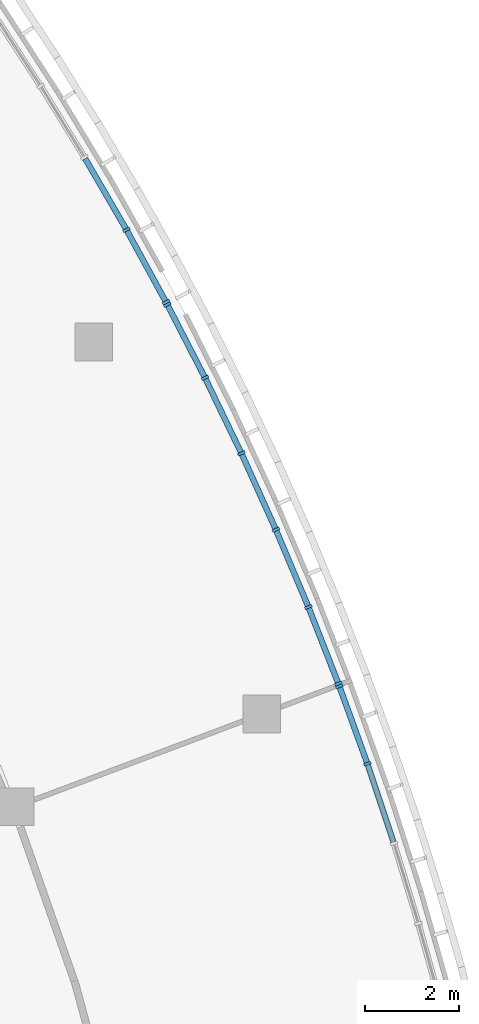
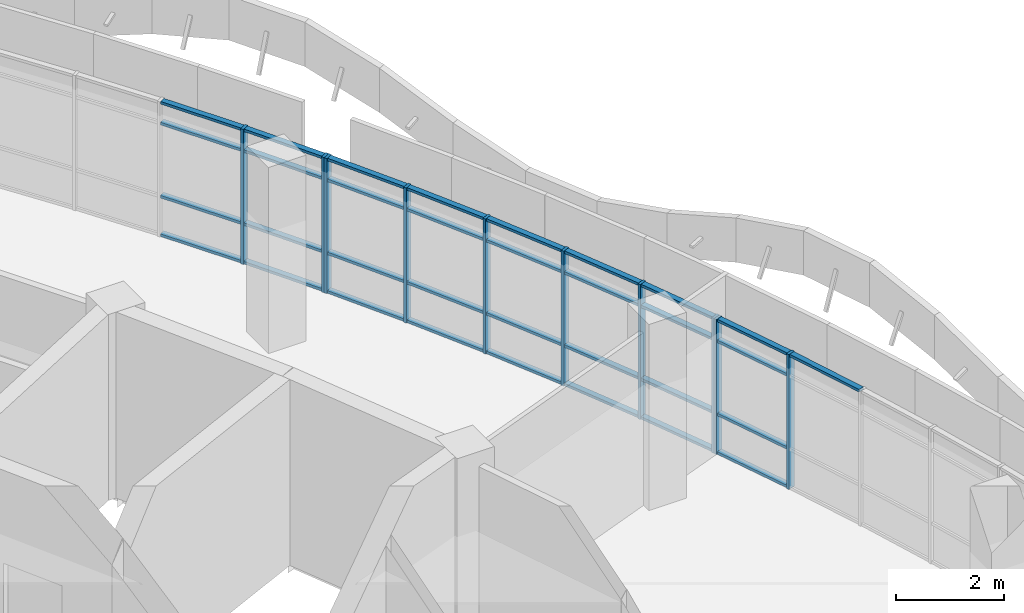
# One storey, part 35 of 137: 43 members, 3 elements without a shape of their own.
"""IFC4 building model written with IfcOpenShell, lengths in metres."""

from ifc_helpers import new_model, si_unit, direction, frame, origin, origin_2d, place, context, subcontext, project, spatial, rectangle, extrude, material, material_profile, profile_set, type_object, element, aggregate, save


model = new_model("IFC4")

# Units and contexts
model_context = context("Model", 3, precision=1e-05, world=origin(), true_north=direction((0.0, 1.0)))
body_context = subcontext(model_context, "Body", "Model", "MODEL_VIEW")
ifc_project = project(units=[si_unit("LENGTHUNIT", "METRE"), si_unit("AREAUNIT", "SQUARE_METRE"), si_unit("VOLUMEUNIT", "CUBIC_METRE"), si_unit("PLANEANGLEUNIT", "RADIAN"), si_unit("MASSUNIT", "GRAM", prefix="KILO")], contexts=[model_context])

# Site, building, storey
site_placement = place(None, origin())
site = spatial("IfcSite", under=ifc_project, at=site_placement, CompositionType="ELEMENT")
building_placement = place(site_placement, origin())
building = spatial("IfcBuilding", under=site, at=building_placement, Name="Bougainvillea Quay General Hospital", CompositionType="ELEMENT")
storey_placement = place(building_placement, frame((0.0, 0.0, 16.800048828125)))
storey = spatial("IfcBuildingStorey", under=building, at=storey_placement, Name="L03", CompositionType="ELEMENT", Elevation=16.800048828125)

# Curtain wall, members
ifc_material_1 = material(Name="Aluminium curtain wall system, powder-coated glazed", Category="aluminium")
curtain_wall_type = type_object("IfcCurtainWallType", Name="Unitised curtain wall CW-2100", PredefinedType="NOTDEFINED", material=ifc_material_1)
curtain_wall_1_placement = place(storey_placement, origin())
curtain_wall_1 = element("IfcCurtainWall", 1, at=curtain_wall_1_placement, inside=storey, type_object=curtain_wall_type, Name="CW-E05 a14b4", PredefinedType="NOTDEFINED")
ifc_material_2 = material(Name="Aluminium mullion, powder-coated charcoal", Category="aluminium")
ifc_material_profile_1 = material_profile(ifc_material_2, rectangle(XDim=0.159912109375, YDim=0.06005859375, at=origin_2d()))
ifc_profile_set_1 = profile_set([ifc_material_profile_1], Name="Aluminium mullion, powder-coated charcoal")
member_type_1 = type_object("IfcMemberType", Name="Curtain wall mullion 160x60", PredefinedType="MULLION", material=ifc_profile_set_1)
member_1_placement = place(storey_placement, frame((169.966064453125, 56.243408203125, 0.0), z_axis=(0.0, 0.0, 1.0), x_axis=(0.871193247428, 0.490940246503, 0.0)))
member_1 = element("IfcMember", 2, at=member_1_placement, type_object=member_type_1, Name="CW-E05 mullion 5", PredefinedType="MULLION", context=body_context, shape_type="SweptSolid", body=[
    extrude(rectangle(XDim=0.159912109375, YDim=0.06005859375, at=origin_2d()), origin(), (0.0, 0.0, 1.0), 3.050048828125),
])
member_2_placement = place(storey_placement, frame((170.805908203125, 54.707763671875, 0.0), z_axis=(0.0, 0.0, 1.0), x_axis=(0.877387439543, 0.479782535044, 0.0)))
member_2 = element("IfcMember", 3, at=member_2_placement, type_object=member_type_1, Name="CW-E05 mullion 6", PredefinedType="MULLION", context=body_context, shape_type="SweptSolid", body=[
    extrude(rectangle(XDim=0.159912109375, YDim=0.06005859375, at=origin_2d()), origin(), (0.0, 0.0, 1.0), 3.050048828125),
])

curtain_wall_2_placement = place(storey_placement, origin())
curtain_wall_2 = element("IfcCurtainWall", 4, at=curtain_wall_2_placement, inside=storey, type_object=curtain_wall_type, Name="CW-E06 a14b5", PredefinedType="NOTDEFINED")
member_3_placement = place(storey_placement, frame((170.833984375, 54.65478515625, 0.0), z_axis=(0.0, 0.0, 1.0), x_axis=(0.889346157599, 0.457234526215, 0.0)))
member_3 = element("IfcMember", 5, at=member_3_placement, type_object=member_type_1, Name="CW-E06 mullion 1", PredefinedType="MULLION", context=body_context, shape_type="SweptSolid", body=[
    extrude(rectangle(XDim=0.159912109375, YDim=0.06005859375, at=origin_2d()), origin(), (0.0, 0.0, 1.0), 3.050048828125),
])
member_4_placement = place(storey_placement, frame((171.63427734375, 53.09814453125, 0.0), z_axis=(0.0, 0.0, 1.0), x_axis=(0.895108735914, 0.445847901072, 0.0)))
member_4 = element("IfcMember", 6, at=member_4_placement, type_object=member_type_1, Name="CW-E06 mullion 2", PredefinedType="MULLION", context=body_context, shape_type="SweptSolid", body=[
    extrude(rectangle(XDim=0.159912109375, YDim=0.06005859375, at=origin_2d()), origin(), (0.0, 0.0, 1.0), 3.050048828125),
])
member_5_placement = place(storey_placement, frame((172.407470703125, 51.49462890625, 0.0), z_axis=(0.0, 0.0, 1.0), x_axis=(0.906195638727, 0.422858681301, 0.0)))
member_5 = element("IfcMember", 7, at=member_5_placement, type_object=member_type_1, Name="CW-E06 mullion 3", PredefinedType="MULLION", context=body_context, shape_type="SweptSolid", body=[
    extrude(rectangle(XDim=0.159912109375, YDim=0.06005859375, at=origin_2d()), origin(), (0.0, 0.0, 1.0), 3.050048828125),
])
member_6_placement = place(storey_placement, frame((173.1396484375, 49.871826171875, 0.0), z_axis=(0.0, 0.0, 1.0), x_axis=(0.916692224279, 0.399594001388, 0.0)))
member_6 = element("IfcMember", 8, at=member_6_placement, type_object=member_type_1, Name="CW-E06 mullion 4", PredefinedType="MULLION", context=body_context, shape_type="SweptSolid", body=[
    extrude(rectangle(XDim=0.159912109375, YDim=0.06005859375, at=origin_2d()), origin(), (0.0, 0.0, 1.0), 3.050048828125),
])
member_7_placement = place(storey_placement, frame((173.830078125, 48.23095703125, 0.0), z_axis=(0.0, 0.0, 1.0), x_axis=(0.926591654846, 0.376069016497, 0.0)))
member_7 = element("IfcMember", 9, at=member_7_placement, type_object=member_type_1, Name="CW-E06 mullion 5", PredefinedType="MULLION", context=body_context, shape_type="SweptSolid", body=[
    extrude(rectangle(XDim=0.159912109375, YDim=0.06005859375, at=origin_2d()), origin(), (0.0, 0.0, 1.0), 3.050048828125),
])
member_8_placement = place(storey_placement, frame((174.4677734375, 46.60107421875, 0.0), z_axis=(0.0, 0.0, 1.0), x_axis=(0.931315406472, 0.364213692311, 0.0)))
member_8 = element("IfcMember", 10, at=member_8_placement, type_object=member_type_1, Name="CW-E06 mullion 6", PredefinedType="MULLION", context=body_context, shape_type="SweptSolid", body=[
    extrude(rectangle(XDim=0.159912109375, YDim=0.06005859375, at=origin_2d()), origin(), (0.0, 0.0, 1.0), 3.050048828125),
])

curtain_wall_3_placement = place(storey_placement, origin())
curtain_wall_3 = element("IfcCurtainWall", 11, at=curtain_wall_3_placement, inside=storey, type_object=curtain_wall_type, Name="CW-E07 a14b6", PredefinedType="NOTDEFINED")
member_9_placement = place(storey_placement, frame((174.48876953125, 46.544921875, 0.0), z_axis=(0.0, 0.0, 1.0), x_axis=(0.940307135924, 0.340327034086, 0.0)))
member_9 = element("IfcMember", 12, at=member_9_placement, type_object=member_type_1, Name="CW-E07 mullion 1", PredefinedType="MULLION", context=body_context, shape_type="SweptSolid", body=[
    extrude(rectangle(XDim=0.159912109375, YDim=0.06005859375, at=origin_2d()), origin(), (0.0, 0.0, 1.0), 3.050048828125),
])
member_10_placement = place(storey_placement, frame((175.08447265625, 44.899169921875, 0.0), z_axis=(0.0, 0.0, 1.0), x_axis=(0.944573649334, 0.328299590289, 0.0)))
member_10 = element("IfcMember", 13, at=member_10_placement, type_object=member_type_1, Name="CW-E07 mullion 2", PredefinedType="MULLION", context=body_context, shape_type="SweptSolid", body=[
    extrude(rectangle(XDim=0.159912109375, YDim=0.06005859375, at=origin_2d()), origin(), (0.0, 0.0, 1.0), 3.050048828125),
])

# Member
ifc_material_3 = material(Name="Aluminium transom, powder-coated charcoal", Category="aluminium")
ifc_material_profile_2 = material_profile(ifc_material_3, rectangle(XDim=0.1201171875, YDim=0.06005859375, at=origin_2d()))
ifc_profile_set_2 = profile_set([ifc_material_profile_2], Name="Aluminium transom, powder-coated charcoal")
member_type_2 = type_object("IfcMemberType", Name="Curtain wall transom 120x60", PredefinedType="USERDEFINED", material=ifc_profile_set_2)
member_11_placement = place(storey_placement, frame((169.08740234375, 57.757080078125, 0.030029296875), z_axis=(0.502087586524, -0.864816775658, 0.0), x_axis=(0.864816775658, 0.502087586524, 0.0)))
member_11 = element("IfcMember", 14, at=member_11_placement, type_object=member_type_2, Name="CW-E05 transom 4.1", ObjectType="TRANSOM", PredefinedType="USERDEFINED", context=body_context, shape_type="SweptSolid", body=[
    extrude(rectangle(XDim=0.1201171875, YDim=0.06005859375, at=origin_2d()), origin(), (0.0, 0.0, 1.0), 1.720458984375),
])

member_12_placement = place(storey_placement, frame((169.08740234375, 57.757080078125, 0.89990234375), z_axis=(0.502087586524, -0.864816775658, 0.0), x_axis=(0.864816775658, 0.502087586524, 0.0)))
member_12 = element("IfcMember", 15, at=member_12_placement, type_object=member_type_2, Name="CW-E05 transom 4.2", ObjectType="TRANSOM", PredefinedType="USERDEFINED", context=body_context, shape_type="SweptSolid", body=[
    extrude(rectangle(XDim=0.1201171875, YDim=0.06005859375, at=origin_2d()), origin(), (0.0, 0.0, 1.0), 1.720458984375),
])

member_13_placement = place(storey_placement, frame((169.08740234375, 57.757080078125, 2.550048828125), z_axis=(0.502087586524, -0.864816775658, 0.0), x_axis=(0.864816775658, 0.502087586524, 0.0)))
member_13 = element("IfcMember", 16, at=member_13_placement, type_object=member_type_2, Name="CW-E05 transom 4.3", ObjectType="TRANSOM", PredefinedType="USERDEFINED", context=body_context, shape_type="SweptSolid", body=[
    extrude(rectangle(XDim=0.1201171875, YDim=0.06005859375, at=origin_2d()), origin(), (0.0, 0.0, 1.0), 1.720458984375),
])

member_14_placement = place(storey_placement, frame((169.08740234375, 57.757080078125, 3.02001953125), z_axis=(0.502087586524, -0.864816775658, 0.0), x_axis=(0.864816775658, 0.502087586524, 0.0)))
member_14 = element("IfcMember", 17, at=member_14_placement, type_object=member_type_2, Name="CW-E05 transom 4.4", ObjectType="TRANSOM", PredefinedType="USERDEFINED", context=body_context, shape_type="SweptSolid", body=[
    extrude(rectangle(XDim=0.1201171875, YDim=0.06005859375, at=origin_2d()), origin(), (0.0, 0.0, 1.0), 1.720458984375),
])

member_15_placement = place(storey_placement, frame((169.98046875, 56.217041015625, 0.030029296875), z_axis=(0.479782810498, -0.877387288915, 0.0), x_axis=(0.877387288915, 0.479782810498, 0.0)))
member_15 = element("IfcMember", 18, at=member_15_placement, type_object=member_type_2, Name="CW-E05 transom 5.1", ObjectType="TRANSOM", PredefinedType="USERDEFINED", context=body_context, shape_type="SweptSolid", body=[
    extrude(rectangle(XDim=0.1201171875, YDim=0.06005859375, at=origin_2d()), origin(), (0.0, 0.0, 1.0), 1.6904296875),
])

member_16_placement = place(storey_placement, frame((169.98046875, 56.217041015625, 0.89990234375), z_axis=(0.479782810498, -0.877387288915, 0.0), x_axis=(0.877387288915, 0.479782810498, 0.0)))
member_16 = element("IfcMember", 19, at=member_16_placement, type_object=member_type_2, Name="CW-E05 transom 5.2", ObjectType="TRANSOM", PredefinedType="USERDEFINED", context=body_context, shape_type="SweptSolid", body=[
    extrude(rectangle(XDim=0.1201171875, YDim=0.06005859375, at=origin_2d()), origin(), (0.0, 0.0, 1.0), 1.6904296875),
])

member_17_placement = place(storey_placement, frame((169.98046875, 56.217041015625, 2.550048828125), z_axis=(0.479782810498, -0.877387288915, 0.0), x_axis=(0.877387288915, 0.479782810498, 0.0)))
member_17 = element("IfcMember", 20, at=member_17_placement, type_object=member_type_2, Name="CW-E05 transom 5.3", ObjectType="TRANSOM", PredefinedType="USERDEFINED", context=body_context, shape_type="SweptSolid", body=[
    extrude(rectangle(XDim=0.1201171875, YDim=0.06005859375, at=origin_2d()), origin(), (0.0, 0.0, 1.0), 1.6904296875),
])

member_18_placement = place(storey_placement, frame((169.98046875, 56.217041015625, 3.02001953125), z_axis=(0.479782810498, -0.877387288915, 0.0), x_axis=(0.877387288915, 0.479782810498, 0.0)))
member_18 = element("IfcMember", 21, at=member_18_placement, type_object=member_type_2, Name="CW-E05 transom 5.4", ObjectType="TRANSOM", PredefinedType="USERDEFINED", context=body_context, shape_type="SweptSolid", body=[
    extrude(rectangle(XDim=0.1201171875, YDim=0.06005859375, at=origin_2d()), origin(), (0.0, 0.0, 1.0), 1.6904296875),
])

aggregate(curtain_wall_1, [member_1, member_2, member_11, member_12, member_13, member_14, member_15, member_16, member_17, member_18])

member_19_placement = place(storey_placement, frame((170.84765625, 54.6279296875, 0.030029296875), z_axis=(0.457295793511, -0.889314655922, 0.0), x_axis=(0.889314655922, 0.457295793511, 0.0)))
member_19 = element("IfcMember", 22, at=member_19_placement, type_object=member_type_2, Name="CW-E06 transom 1.1", ObjectType="TRANSOM", PredefinedType="USERDEFINED", context=body_context, shape_type="SweptSolid", body=[
    extrude(rectangle(XDim=0.1201171875, YDim=0.06005859375, at=origin_2d()), origin(), (0.0, 0.0, 1.0), 1.690185546875),
])

member_20_placement = place(storey_placement, frame((170.84765625, 54.6279296875, 0.89990234375), z_axis=(0.457295793511, -0.889314655922, 0.0), x_axis=(0.889314655922, 0.457295793511, 0.0)))
member_20 = element("IfcMember", 23, at=member_20_placement, type_object=member_type_2, Name="CW-E06 transom 1.2", ObjectType="TRANSOM", PredefinedType="USERDEFINED", context=body_context, shape_type="SweptSolid", body=[
    extrude(rectangle(XDim=0.1201171875, YDim=0.06005859375, at=origin_2d()), origin(), (0.0, 0.0, 1.0), 1.690185546875),
])

member_21_placement = place(storey_placement, frame((170.84765625, 54.6279296875, 2.550048828125), z_axis=(0.457295793511, -0.889314655922, 0.0), x_axis=(0.889314655922, 0.457295793511, 0.0)))
member_21 = element("IfcMember", 24, at=member_21_placement, type_object=member_type_2, Name="CW-E06 transom 1.3", ObjectType="TRANSOM", PredefinedType="USERDEFINED", context=body_context, shape_type="SweptSolid", body=[
    extrude(rectangle(XDim=0.1201171875, YDim=0.06005859375, at=origin_2d()), origin(), (0.0, 0.0, 1.0), 1.690185546875),
])

member_22_placement = place(storey_placement, frame((170.84765625, 54.6279296875, 3.02001953125), z_axis=(0.457295793511, -0.889314655922, 0.0), x_axis=(0.889314655922, 0.457295793511, 0.0)))
member_22 = element("IfcMember", 25, at=member_22_placement, type_object=member_type_2, Name="CW-E06 transom 1.4", ObjectType="TRANSOM", PredefinedType="USERDEFINED", context=body_context, shape_type="SweptSolid", body=[
    extrude(rectangle(XDim=0.1201171875, YDim=0.06005859375, at=origin_2d()), origin(), (0.0, 0.0, 1.0), 1.690185546875),
])

member_23_placement = place(storey_placement, frame((171.647216796875, 53.071044921875, 0.030029296875), z_axis=(0.434451356132, -0.90069529762, 0.0), x_axis=(0.90069529762, 0.434451356132, 0.0)))
member_23 = element("IfcMember", 26, at=member_23_placement, type_object=member_type_2, Name="CW-E06 transom 2.1", ObjectType="TRANSOM", PredefinedType="USERDEFINED", context=body_context, shape_type="SweptSolid", body=[
    extrude(rectangle(XDim=0.1201171875, YDim=0.06005859375, at=origin_2d()), origin(), (0.0, 0.0, 1.0), 1.72021484375),
])

member_24_placement = place(storey_placement, frame((171.647216796875, 53.071044921875, 0.89990234375), z_axis=(0.434451356132, -0.90069529762, 0.0), x_axis=(0.90069529762, 0.434451356132, 0.0)))
member_24 = element("IfcMember", 27, at=member_24_placement, type_object=member_type_2, Name="CW-E06 transom 2.2", ObjectType="TRANSOM", PredefinedType="USERDEFINED", context=body_context, shape_type="SweptSolid", body=[
    extrude(rectangle(XDim=0.1201171875, YDim=0.06005859375, at=origin_2d()), origin(), (0.0, 0.0, 1.0), 1.72021484375),
])

member_25_placement = place(storey_placement, frame((171.647216796875, 53.071044921875, 2.550048828125), z_axis=(0.434451356132, -0.90069529762, 0.0), x_axis=(0.90069529762, 0.434451356132, 0.0)))
member_25 = element("IfcMember", 28, at=member_25_placement, type_object=member_type_2, Name="CW-E06 transom 2.3", ObjectType="TRANSOM", PredefinedType="USERDEFINED", context=body_context, shape_type="SweptSolid", body=[
    extrude(rectangle(XDim=0.1201171875, YDim=0.06005859375, at=origin_2d()), origin(), (0.0, 0.0, 1.0), 1.72021484375),
])

member_26_placement = place(storey_placement, frame((171.647216796875, 53.071044921875, 3.02001953125), z_axis=(0.434451356132, -0.90069529762, 0.0), x_axis=(0.90069529762, 0.434451356132, 0.0)))
member_26 = element("IfcMember", 29, at=member_26_placement, type_object=member_type_2, Name="CW-E06 transom 2.4", ObjectType="TRANSOM", PredefinedType="USERDEFINED", context=body_context, shape_type="SweptSolid", body=[
    extrude(rectangle(XDim=0.1201171875, YDim=0.06005859375, at=origin_2d()), origin(), (0.0, 0.0, 1.0), 1.72021484375),
])

member_27_placement = place(storey_placement, frame((172.419921875, 51.46728515625, 0.030029296875), z_axis=(0.411267298249, -0.911514788356, 0.0), x_axis=(0.911514788356, 0.411267298249, 0.0)))
member_27 = element("IfcMember", 30, at=member_27_placement, type_object=member_type_2, Name="CW-E06 transom 3.1", ObjectType="TRANSOM", PredefinedType="USERDEFINED", context=body_context, shape_type="SweptSolid", body=[
    extrude(rectangle(XDim=0.1201171875, YDim=0.06005859375, at=origin_2d()), origin(), (0.0, 0.0, 1.0), 1.720458984375),
])

member_28_placement = place(storey_placement, frame((172.419921875, 51.46728515625, 0.89990234375), z_axis=(0.411267298249, -0.911514788356, 0.0), x_axis=(0.911514788356, 0.411267298249, 0.0)))
member_28 = element("IfcMember", 31, at=member_28_placement, type_object=member_type_2, Name="CW-E06 transom 3.2", ObjectType="TRANSOM", PredefinedType="USERDEFINED", context=body_context, shape_type="SweptSolid", body=[
    extrude(rectangle(XDim=0.1201171875, YDim=0.06005859375, at=origin_2d()), origin(), (0.0, 0.0, 1.0), 1.720458984375),
])

member_29_placement = place(storey_placement, frame((172.419921875, 51.46728515625, 2.550048828125), z_axis=(0.411267298249, -0.911514788356, 0.0), x_axis=(0.911514788356, 0.411267298249, 0.0)))
member_29 = element("IfcMember", 32, at=member_29_placement, type_object=member_type_2, Name="CW-E06 transom 3.3", ObjectType="TRANSOM", PredefinedType="USERDEFINED", context=body_context, shape_type="SweptSolid", body=[
    extrude(rectangle(XDim=0.1201171875, YDim=0.06005859375, at=origin_2d()), origin(), (0.0, 0.0, 1.0), 1.720458984375),
])

member_30_placement = place(storey_placement, frame((172.419921875, 51.46728515625, 3.02001953125), z_axis=(0.411267298249, -0.911514788356, 0.0), x_axis=(0.911514788356, 0.411267298249, 0.0)))
member_30 = element("IfcMember", 33, at=member_30_placement, type_object=member_type_2, Name="CW-E06 transom 3.4", ObjectType="TRANSOM", PredefinedType="USERDEFINED", context=body_context, shape_type="SweptSolid", body=[
    extrude(rectangle(XDim=0.1201171875, YDim=0.06005859375, at=origin_2d()), origin(), (0.0, 0.0, 1.0), 1.720458984375),
])

member_31_placement = place(storey_placement, frame((173.1513671875, 49.84423828125, 0.030029296875), z_axis=(0.387847626956, -0.921723504238, 0.0), x_axis=(0.921723504238, 0.387847626956, 0.0)))
member_31 = element("IfcMember", 34, at=member_31_placement, type_object=member_type_2, Name="CW-E06 transom 4.1", ObjectType="TRANSOM", PredefinedType="USERDEFINED", context=body_context, shape_type="SweptSolid", body=[
    extrude(rectangle(XDim=0.1201171875, YDim=0.06005859375, at=origin_2d()), origin(), (0.0, 0.0, 1.0), 1.720458984375),
])

member_32_placement = place(storey_placement, frame((173.1513671875, 49.84423828125, 0.89990234375), z_axis=(0.387847626956, -0.921723504238, 0.0), x_axis=(0.921723504238, 0.387847626956, 0.0)))
member_32 = element("IfcMember", 35, at=member_32_placement, type_object=member_type_2, Name="CW-E06 transom 4.2", ObjectType="TRANSOM", PredefinedType="USERDEFINED", context=body_context, shape_type="SweptSolid", body=[
    extrude(rectangle(XDim=0.1201171875, YDim=0.06005859375, at=origin_2d()), origin(), (0.0, 0.0, 1.0), 1.720458984375),
])

member_33_placement = place(storey_placement, frame((173.1513671875, 49.84423828125, 2.550048828125), z_axis=(0.387847626956, -0.921723504238, 0.0), x_axis=(0.921723504238, 0.387847626956, 0.0)))
member_33 = element("IfcMember", 36, at=member_33_placement, type_object=member_type_2, Name="CW-E06 transom 4.3", ObjectType="TRANSOM", PredefinedType="USERDEFINED", context=body_context, shape_type="SweptSolid", body=[
    extrude(rectangle(XDim=0.1201171875, YDim=0.06005859375, at=origin_2d()), origin(), (0.0, 0.0, 1.0), 1.720458984375),
])

member_34_placement = place(storey_placement, frame((173.1513671875, 49.84423828125, 3.02001953125), z_axis=(0.387847626956, -0.921723504238, 0.0), x_axis=(0.921723504238, 0.387847626956, 0.0)))
member_34 = element("IfcMember", 37, at=member_34_placement, type_object=member_type_2, Name="CW-E06 transom 4.4", ObjectType="TRANSOM", PredefinedType="USERDEFINED", context=body_context, shape_type="SweptSolid", body=[
    extrude(rectangle(XDim=0.1201171875, YDim=0.06005859375, at=origin_2d()), origin(), (0.0, 0.0, 1.0), 1.720458984375),
])

member_35_placement = place(storey_placement, frame((173.841064453125, 48.203125, 0.030029296875), z_axis=(0.364257753557, -0.931298174042, 0.0), x_axis=(0.931298174042, 0.364257753557, 0.0)))
member_35 = element("IfcMember", 38, at=member_35_placement, type_object=member_type_2, Name="CW-E06 transom 5.1", ObjectType="TRANSOM", PredefinedType="USERDEFINED", context=body_context, shape_type="SweptSolid", body=[
    extrude(rectangle(XDim=0.1201171875, YDim=0.06005859375, at=origin_2d()), origin(), (0.0, 0.0, 1.0), 1.6904296875),
])

member_36_placement = place(storey_placement, frame((173.841064453125, 48.203125, 0.89990234375), z_axis=(0.364257753557, -0.931298174042, 0.0), x_axis=(0.931298174042, 0.364257753557, 0.0)))
member_36 = element("IfcMember", 39, at=member_36_placement, type_object=member_type_2, Name="CW-E06 transom 5.2", ObjectType="TRANSOM", PredefinedType="USERDEFINED", context=body_context, shape_type="SweptSolid", body=[
    extrude(rectangle(XDim=0.1201171875, YDim=0.06005859375, at=origin_2d()), origin(), (0.0, 0.0, 1.0), 1.6904296875),
])

member_37_placement = place(storey_placement, frame((173.841064453125, 48.203125, 2.550048828125), z_axis=(0.364257753557, -0.931298174042, 0.0), x_axis=(0.931298174042, 0.364257753557, 0.0)))
member_37 = element("IfcMember", 40, at=member_37_placement, type_object=member_type_2, Name="CW-E06 transom 5.3", ObjectType="TRANSOM", PredefinedType="USERDEFINED", context=body_context, shape_type="SweptSolid", body=[
    extrude(rectangle(XDim=0.1201171875, YDim=0.06005859375, at=origin_2d()), origin(), (0.0, 0.0, 1.0), 1.6904296875),
])

member_38_placement = place(storey_placement, frame((173.841064453125, 48.203125, 3.02001953125), z_axis=(0.364257753557, -0.931298174042, 0.0), x_axis=(0.931298174042, 0.364257753557, 0.0)))
member_38 = element("IfcMember", 41, at=member_38_placement, type_object=member_type_2, Name="CW-E06 transom 5.4", ObjectType="TRANSOM", PredefinedType="USERDEFINED", context=body_context, shape_type="SweptSolid", body=[
    extrude(rectangle(XDim=0.1201171875, YDim=0.06005859375, at=origin_2d()), origin(), (0.0, 0.0, 1.0), 1.6904296875),
])

aggregate(curtain_wall_2, [member_3, member_4, member_5, member_6, member_7, member_8, member_19, member_20, member_21, member_22, member_23, member_24, member_25, member_26, member_27, member_28, member_29, member_30, member_31, member_32, member_33, member_34, member_35, member_36, member_37, member_38])

member_39_placement = place(storey_placement, frame((174.4990234375, 46.5166015625, 0.030029296875), z_axis=(0.340304572201, -0.940315265291, 0.0), x_axis=(0.940315265291, 0.340304572201, 0.0)))
member_39 = element("IfcMember", 42, at=member_39_placement, type_object=member_type_2, Name="CW-E07 transom 1.1", ObjectType="TRANSOM", PredefinedType="USERDEFINED", context=body_context, shape_type="SweptSolid", body=[
    extrude(rectangle(XDim=0.1201171875, YDim=0.06005859375, at=origin_2d()), origin(), (0.0, 0.0, 1.0), 1.690185546875),
])

member_40_placement = place(storey_placement, frame((174.4990234375, 46.5166015625, 0.89990234375), z_axis=(0.340304572201, -0.940315265291, 0.0), x_axis=(0.940315265291, 0.340304572201, 0.0)))
member_40 = element("IfcMember", 43, at=member_40_placement, type_object=member_type_2, Name="CW-E07 transom 1.2", ObjectType="TRANSOM", PredefinedType="USERDEFINED", context=body_context, shape_type="SweptSolid", body=[
    extrude(rectangle(XDim=0.1201171875, YDim=0.06005859375, at=origin_2d()), origin(), (0.0, 0.0, 1.0), 1.690185546875),
])

member_41_placement = place(storey_placement, frame((174.4990234375, 46.5166015625, 2.550048828125), z_axis=(0.340304572201, -0.940315265291, 0.0), x_axis=(0.940315265291, 0.340304572201, 0.0)))
member_41 = element("IfcMember", 44, at=member_41_placement, type_object=member_type_2, Name="CW-E07 transom 1.3", ObjectType="TRANSOM", PredefinedType="USERDEFINED", context=body_context, shape_type="SweptSolid", body=[
    extrude(rectangle(XDim=0.1201171875, YDim=0.06005859375, at=origin_2d()), origin(), (0.0, 0.0, 1.0), 1.690185546875),
])

member_42_placement = place(storey_placement, frame((174.4990234375, 46.5166015625, 3.02001953125), z_axis=(0.340304572201, -0.940315265291, 0.0), x_axis=(0.940315265291, 0.340304572201, 0.0)))
member_42 = element("IfcMember", 45, at=member_42_placement, type_object=member_type_2, Name="CW-E07 transom 1.4", ObjectType="TRANSOM", PredefinedType="USERDEFINED", context=body_context, shape_type="SweptSolid", body=[
    extrude(rectangle(XDim=0.1201171875, YDim=0.06005859375, at=origin_2d()), origin(), (0.0, 0.0, 1.0), 1.690185546875),
])

member_43_placement = place(storey_placement, frame((175.093994140625, 44.87060546875, 3.02001953125), z_axis=(0.316185191391, -0.948697488531, 0.0), x_axis=(0.948697488531, 0.316185191391, 0.0)))
member_43 = element("IfcMember", 46, at=member_43_placement, type_object=member_type_2, Name="CW-E07 transom 2.4", ObjectType="TRANSOM", PredefinedType="USERDEFINED", context=body_context, shape_type="SweptSolid", body=[
    extrude(rectangle(XDim=0.1201171875, YDim=0.06005859375, at=origin_2d()), origin(), (0.0, 0.0, 1.0), 1.720458984375),
])

aggregate(curtain_wall_3, [member_9, member_10, member_39, member_40, member_41, member_42, member_43])

save(model, "model.ifc")
